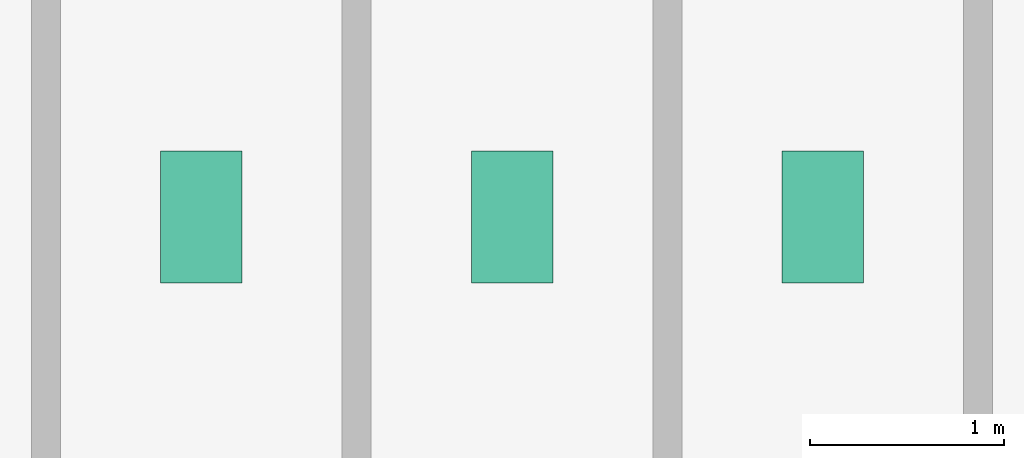
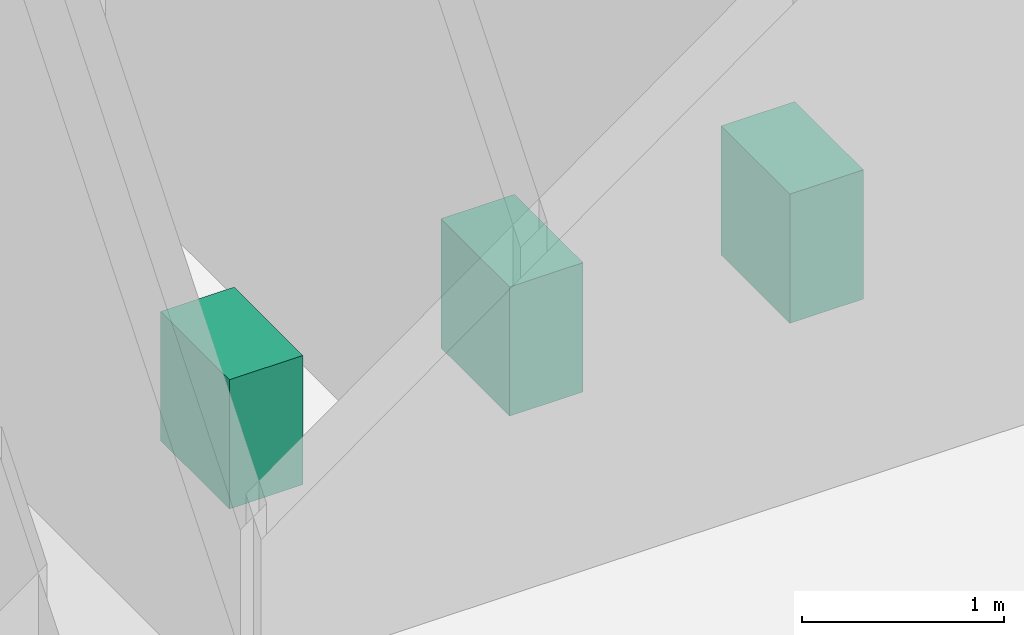
# One storey, part 25 of 25: 3 sanitary terminals.
"""IFC4 building model written with IfcOpenShell, lengths in metres."""

from ifc_helpers import new_model, si_unit, derived_unit, direction, frame, origin, origin_2d, place, context, subcontext, project, spatial, rectangle, extrude, source, transform, mapped, material, type_object, element, save


model = new_model("IFC4")

# Units and contexts
model_context = context("Model", 3, precision=1e-05, world=origin(), true_north=direction((0.0, 1.0)))
body_context = subcontext(model_context, "Body", "Model", "MODEL_VIEW")
ifc_project = project(units=[si_unit("LENGTHUNIT", "METRE"), si_unit("AREAUNIT", "SQUARE_METRE"), si_unit("VOLUMEUNIT", "CUBIC_METRE"), si_unit("PLANEANGLEUNIT", "RADIAN"), si_unit("MASSUNIT", "GRAM", prefix="KILO"), derived_unit("THERMALTRANSMITTANCEUNIT", [(si_unit("POWERUNIT", "WATT"), 1), (si_unit("LENGTHUNIT", "METRE"), -2), (si_unit("THERMODYNAMICTEMPERATUREUNIT", "KELVIN"), -1)])], contexts=[model_context])

# Site, building, storey
site_placement = place(None, origin())
site = spatial("IfcSite", under=ifc_project, at=site_placement, CompositionType="ELEMENT")
building_placement = place(site_placement, origin())
building = spatial("IfcBuilding", under=site, at=building_placement, Name="Skarnbrae Concourse Arena and Tower", CompositionType="ELEMENT")
storey_placement = place(building_placement, frame((0.0, 0.0, 162.5)))
storey = spatial("IfcBuildingStorey", under=building, at=storey_placement, Name="L41", CompositionType="ELEMENT", Elevation=162.5)

# Sanitary terminals
ifc_material = material(Name="Vitreous china sanitaryware", Category="other")
sanitary_terminal_type = type_object("IfcSanitaryTerminalType", Name="SAN-WC-VITREOUS", PredefinedType="TOILETPAN", material=ifc_material)
shared_shape = source(origin(), body_context, "Body", "SweptSolid", [
    extrude(rectangle(XDim=0.419921875, YDim=0.679931640625, at=origin_2d()), origin(), (0.0, 0.0, 1.0), 0.780029296875),
])
for number, where, z_axis, x_axis, name in (
    (1, (35.0, 11.39990234375, 0.0), (0.0, 0.0, 1.0), (1.0, 0.0, 0.0), "L41 Washroom WC fixture 1"),
    (2, (36.60009765625, 11.39990234375, 0.0), (0.0, 0.0, 1.0), (1.0, 0.0, 0.0), "L41 Washroom WC fixture 2"),
    (3, (38.199951171875, 11.39990234375, 0.0), (0.0, 0.0, 1.0), (1.0, 0.0, 0.0), "L41 Washroom WC fixture 3"),
):
    element("IfcSanitaryTerminal", number, at=place(storey_placement, frame(where, z_axis=z_axis, x_axis=x_axis)), inside=storey, type_object=sanitary_terminal_type, Name=name, PredefinedType="TOILETPAN", context=body_context, shape_type="MappedRepresentation", body=[
        mapped(shared_shape, transform((0.0, 0.0, 0.0))),
    ])

save(model, "model.ifc")
